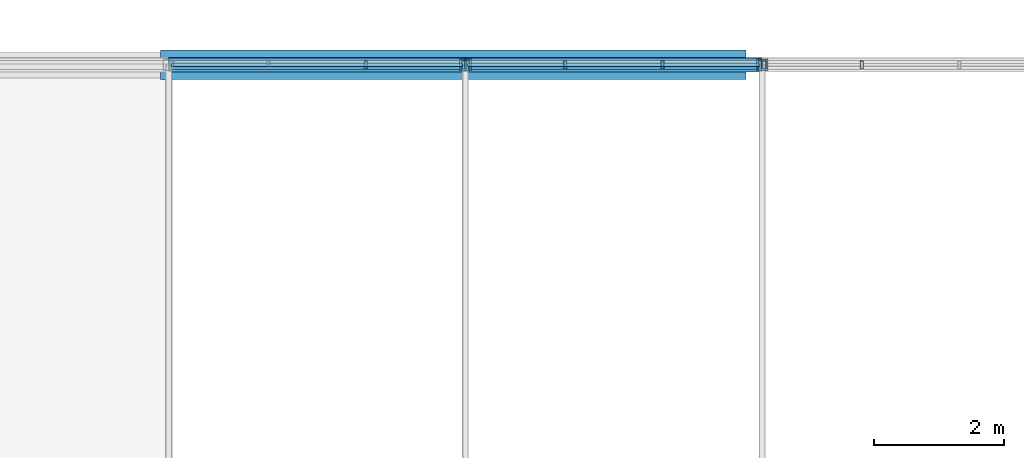
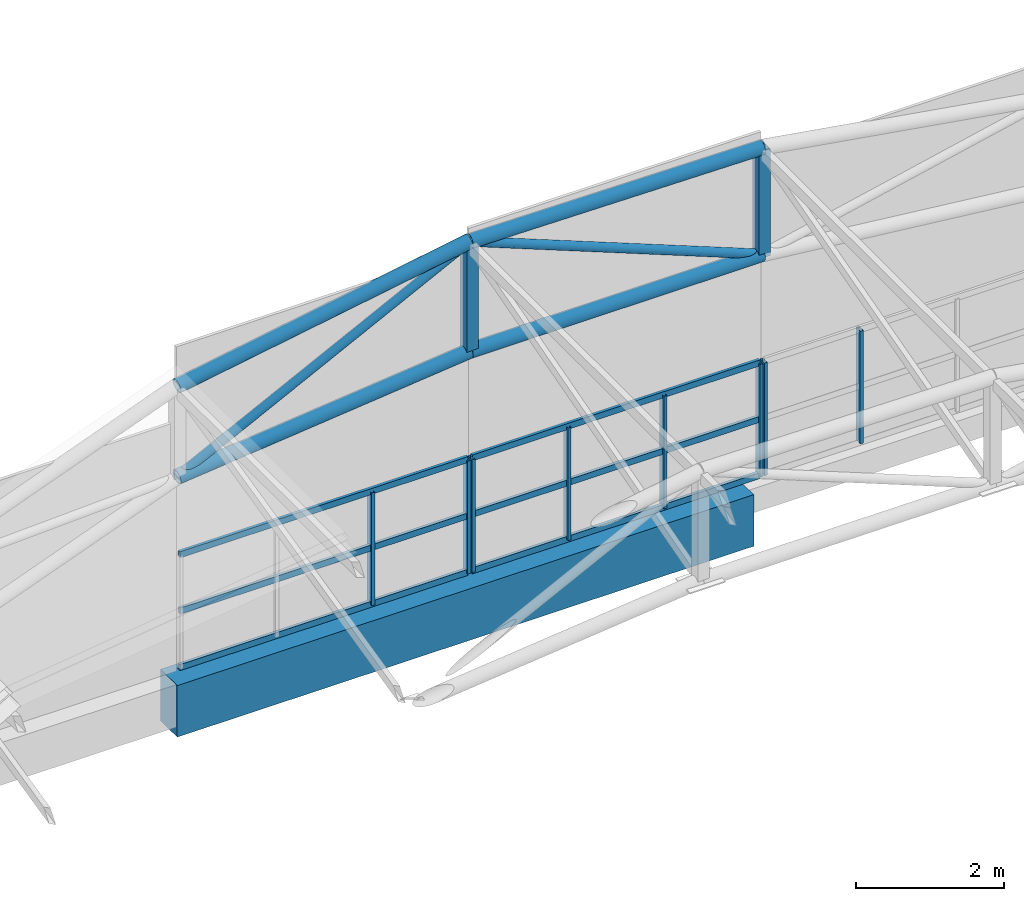
# One storey, part 72 of 101: 22 members, 1 beam, 3 elements without a shape of their own.
"""IFC4 building model written with IfcOpenShell, lengths in metres."""

import ifcopenshell
import ifcopenshell.guid

model = None  # the IFC model being written
_history = None  # IfcOwnerHistory: only IFC2X3 demands one
_inside = {}  # id of a spatial element -> (the spatial element, [elements in it])
_under = {}  # id of a project, library or spatial element -> (it, [spatial elements below it])
_declared = {}  # id of a project -> (the project, [libraries it declares])
_typed = {}  # id of a type object -> (the type object, [elements of that type])
_made_of = {}  # id of a material, layer set ... -> (it, [elements and type objects made of it])


def new_model(schema):
    """Start an empty IFC model of exactly this schema.

    Asked for "IFC4X3", IfcOpenShell would pick the latest addendum, in which some entities
    have other attributes; the version numbers below select the first issue.
    IFC2X3 requires an IfcOwnerHistory on every rooted entity: one is made here for all.
    """
    global model, _history
    if schema == "IFC4X3":
        model = ifcopenshell.file(schema_version=(4, 3, 0, 0))
    else:
        model = ifcopenshell.file(schema=schema)
    _inside.clear()
    _under.clear()
    _declared.clear()
    _typed.clear()
    _made_of.clear()
    _history = None
    if model.schema == "IFC2X3":
        org = make("IfcOrganization", Name="unknown")
        user = make(
            "IfcPersonAndOrganization",
            ThePerson=make("IfcPerson", FamilyName="unknown"),
            TheOrganization=org,
        )
        app = make(
            "IfcApplication",
            ApplicationDeveloper=org,
            Version="unknown",
            ApplicationFullName="unknown",
            ApplicationIdentifier="unknown",
        )
        _history = make(
            "IfcOwnerHistory",
            OwningUser=user,
            OwningApplication=app,
            ChangeAction="ADDED",
            CreationDate=0,
        )
    return model


def make(cls, **values):
    """One entity of the class cls with the attributes given. An attribute that is None is left unset."""
    return model.create_entity(
        cls, **{name: value for name, value in values.items() if value is not None}
    )


def rooted(cls, **values):
    """An entity with a GlobalId (a new one), such as an element, a storey or a relation."""
    return make(cls, GlobalId=ifcopenshell.guid.new(), OwnerHistory=_history, **values)


def si_unit(unit_type, name, prefix=None):
    """IfcSIUnit, for example si_unit("LENGTHUNIT", "METRE", prefix="MILLI")."""
    return make("IfcSIUnit", UnitType=unit_type, Prefix=prefix, Name=name)


def assignment(units):
    """IfcUnitAssignment: the units of a project."""
    return None if units is None else make("IfcUnitAssignment", Units=units)


def point(xyz):
    """IfcCartesianPoint."""
    return None if xyz is None else make("IfcCartesianPoint", Coordinates=xyz)


def direction(xyz):
    """IfcDirection."""
    return None if xyz is None else make("IfcDirection", DirectionRatios=xyz)


def frame(location, z_axis=None, x_axis=None):
    """IfcAxis2Placement3D, a coordinate frame: its origin and axes. An axis left out is left unset."""
    return make(
        "IfcAxis2Placement3D",
        Location=point(location),
        Axis=direction(z_axis),
        RefDirection=direction(x_axis),
    )


def frame_2d(location, x_axis=None):
    """IfcAxis2Placement2D, a coordinate frame in the plane: its origin and x axis."""
    return make(
        "IfcAxis2Placement2D", Location=point(location), RefDirection=direction(x_axis)
    )


def origin():
    """The frame at (0, 0, 0) with its axes left unset."""
    return frame((0.0, 0.0, 0.0))


def origin_2d():
    """The frame at (0, 0) in the plane with its x axis left unset."""
    return frame_2d((0.0, 0.0))


def place(relative_to, where):
    """IfcLocalPlacement: puts the frame where relative to a parent placement (None: the world)."""
    return make(
        "IfcLocalPlacement", PlacementRelTo=relative_to, RelativePlacement=where
    )


def context(
    kind, dimensions, precision=None, world=None, true_north=None, identifier=None
):
    """IfcGeometricRepresentationContext, for example the 3D "Model" context."""
    return make(
        "IfcGeometricRepresentationContext",
        ContextIdentifier=identifier,
        ContextType=kind,
        CoordinateSpaceDimension=dimensions,
        Precision=precision,
        WorldCoordinateSystem=world,
        TrueNorth=true_north,
    )


def subcontext(parent, identifier, kind, view, scale=None):
    """IfcGeometricRepresentationSubContext, for example "Body" below "Model"."""
    return make(
        "IfcGeometricRepresentationSubContext",
        ContextIdentifier=identifier,
        ContextType=kind,
        ParentContext=parent,
        TargetScale=scale,
        TargetView=view,
    )


def project(units=None, contexts=None):
    """IfcProject with its units and contexts."""
    return rooted(
        "IfcProject",
        Name="project",
        RepresentationContexts=contexts,
        UnitsInContext=assignment(units),
    )


def spatial(cls, under=None, at=None, **own):
    """A site, building, storey or space (cls), placed at a placement, below another one or the project."""
    s = rooted(cls, ObjectPlacement=at, **own)
    if under is not None:
        _under.setdefault(under.id(), (under, []))[1].append(s)
    return s


def profile(cls, at=None, kind="AREA", **sizes):
    """A parametric profile (cls). Its sizes go by their IFC names, for example OverallWidth=200.0."""
    return make(cls, ProfileType=kind, Position=at, **sizes)


def rectangle(**sizes):
    """IfcRectangleProfileDef."""
    return profile("IfcRectangleProfileDef", **sizes)


def hollow_rectangle(**sizes):
    """IfcRectangleHollowProfileDef."""
    return profile("IfcRectangleHollowProfileDef", **sizes)


def hollow_circle(**sizes):
    """IfcCircleHollowProfileDef."""
    return profile("IfcCircleHollowProfileDef", **sizes)


def extrude(swept, where, along, depth):
    """IfcExtrudedAreaSolid: the profile swept, set in the frame where, extruded along a direction by depth."""
    return make(
        "IfcExtrudedAreaSolid",
        SweptArea=swept,
        Position=where,
        ExtrudedDirection=direction(along),
        Depth=depth,
    )


def shape(context_of_items, identifier, shape_type, items):
    """IfcShapeRepresentation: the items that make up one representation, for example the "Body"."""
    return make(
        "IfcShapeRepresentation",
        ContextOfItems=context_of_items,
        RepresentationIdentifier=identifier,
        RepresentationType=shape_type,
        Items=items,
    )


def material(Name=None, Category=None):
    """IfcMaterial."""
    return make("IfcMaterial", Name=Name, Category=Category)


def material_profile(
    of_material, cross_section, Name=None, Category=None, Priority=None
):
    """IfcMaterialProfile: a cross section and its material."""
    return make(
        "IfcMaterialProfile",
        Name=Name,
        Material=of_material,
        Profile=cross_section,
        Priority=Priority,
        Category=Category,
    )


def profile_set(profiles, Name=None, composite=None):
    """IfcMaterialProfileSet."""
    return make(
        "IfcMaterialProfileSet",
        Name=Name,
        MaterialProfiles=profiles,
        CompositeProfile=composite,
    )


def made_of(thing, what):
    """Note that an element or type object is made of a material, layer set ...; save() writes the relation."""
    if what is not None:
        _made_of.setdefault(what.id(), (what, []))[1].append(thing)
    return thing


def type_object(cls, material=None, **own):
    """A type object (cls), such as IfcWallType, which elements share."""
    return made_of(rooted(cls, **own), material)


def element(
    cls,
    number,
    at=None,
    inside=None,
    cuts=None,
    type_object=None,
    material=None,
    context=None,
    identifier="Body",
    shape_type=None,
    held_by="IfcProductDefinitionShape",
    body=None,
    shapes=None,
    **own,
):
    """One element of the class cls, such as IfcWall. Its Tag is "e" and its number.

    at: its placement. inside: the storey or other place that contains it. cuts: it is an
    opening in that element (IfcRelVoidsElement). A single representation is given by context,
    identifier, shape_type and body (its items); several are given by shapes. held_by: the class
    of the entity that holds the representations. save() writes the other relations.
    """
    e = rooted(cls, Tag="e%d" % number, ObjectPlacement=at, **own)
    if body is not None:
        shapes = [shape(context, identifier, shape_type, body)]
    if shapes is not None:
        e.Representation = make(held_by, Representations=shapes)
    if inside is not None:
        _inside.setdefault(inside.id(), (inside, []))[1].append(e)
    if cuts is not None:
        rooted(
            "IfcRelVoidsElement", RelatingBuildingElement=cuts, RelatedOpeningElement=e
        )
    if type_object is not None:
        _typed.setdefault(type_object.id(), (type_object, []))[1].append(e)
    return made_of(e, material)


def aggregate(whole, parts):
    """IfcRelAggregates: a whole, such as a stair, and the parts it consists of."""
    return rooted("IfcRelAggregates", RelatingObject=whole, RelatedObjects=parts)


def save(model, path):
    """Write the relations noted so far, then the file.

    IfcRelAggregates (storeys below a building ...), IfcRelContainedInSpatialStructure (elements
    in a storey), IfcRelDefinesByType, IfcRelAssociatesMaterial and IfcRelDeclares: one each for
    every whole, place, type object, material and project.
    """
    for whole, parts in _under.values():
        aggregate(whole, parts)
    for where, things in _inside.values():
        rooted(
            "IfcRelContainedInSpatialStructure",
            RelatedElements=things,
            RelatingStructure=where,
        )
    for kind, things in _typed.values():
        rooted("IfcRelDefinesByType", RelatedObjects=things, RelatingType=kind)
    for what, things in _made_of.values():
        rooted("IfcRelAssociatesMaterial", RelatedObjects=things, RelatingMaterial=what)
    for by, libraries in _declared.values():
        rooted("IfcRelDeclares", RelatingContext=by, RelatedDefinitions=libraries)
    model.write(path)


model = new_model("IFC4")

# Units and contexts
model_context = context("Model", 3, precision=1e-05, world=origin(), true_north=direction((0.0, 1.0)))
body_context = subcontext(model_context, "Body", "Model", "MODEL_VIEW")
ifc_project = project(units=[si_unit("LENGTHUNIT", "METRE"), si_unit("AREAUNIT", "SQUARE_METRE"), si_unit("VOLUMEUNIT", "CUBIC_METRE"), si_unit("PLANEANGLEUNIT", "RADIAN"), si_unit("MASSUNIT", "GRAM", prefix="KILO")], contexts=[model_context])

# Site, building, storey
site_placement = place(None, origin())
site = spatial("IfcSite", under=ifc_project, at=site_placement, CompositionType="ELEMENT")
building_placement = place(site_placement, origin())
building = spatial("IfcBuilding", under=site, at=building_placement, Name="Solvikara Media Centre", CompositionType="ELEMENT")
storey_placement = place(building_placement, frame((0.0, 0.0, 10.199951171875)))
storey = spatial("IfcBuildingStorey", under=building, at=storey_placement, Name="L02", CompositionType="ELEMENT", Elevation=10.199951171875)

# Beam
ifc_material_1 = material(Name="Concrete fc' 35 MPa (C35/45)", Category="concrete")
ifc_material_profile_1 = material_profile(ifc_material_1, rectangle(XDim=0.449951171875, YDim=0.85009765625, at=origin_2d()), Name="RC 450x850")
ifc_profile_set_1 = profile_set([ifc_material_profile_1], Name="Concrete fc' 35 MPa (C35/45)")
beam_type = type_object("IfcBeamType", Name="BM-14", PredefinedType="SPANDREL", material=ifc_profile_set_1)
beam_placement = place(storey_placement, frame((136.5, 114.0, -0.52490234375), z_axis=(1.0, 0.0, 0.0), x_axis=(0.0, 1.0, 0.0)))
element("IfcBeam", 1, at=beam_placement, inside=storey, type_object=beam_type, Name="B-L02-X0906", PredefinedType="SPANDREL", context=body_context, shape_type="SweptSolid", body=[
    extrude(rectangle(XDim=0.449951171875, YDim=0.85009765625, at=origin_2d()), origin(), (0.0, 0.0, 1.0), 9.0),
])

# Members
ifc_material_2 = material(Name="Steel S355JR", Category="steel")
ifc_material_profile_2 = material_profile(ifc_material_2, hollow_circle(Radius=0.109619140625, WallThickness=0.008056640625, at=origin_2d()), Name="CHS 219.1x8")
ifc_profile_set_2 = profile_set([ifc_material_profile_2], Name="Steel S355JR")
member_type_1 = type_object("IfcMemberType", Name="MB-05", PredefinedType="CHORD", material=ifc_profile_set_2)
member_1_placement = place(storey_placement, frame((136.625, 114.0, 4.66796875), z_axis=(0.98541075968, 0.0, 0.170192933775), x_axis=(0.0, 1.0, 0.0)))
element("IfcMember", 2, at=member_1_placement, inside=storey, type_object=member_type_1, Name="BSB-TC-04-02", PredefinedType="CHORD", context=body_context, shape_type="SweptSolid", body=[
    extrude(hollow_circle(Radius=0.109619140625, WallThickness=0.008056640625, at=origin_2d()), origin(), (0.0, 0.0, 1.0), 4.630615234375),
])
member_2_placement = place(storey_placement, frame((136.625, 114.0, 3.16796875), z_axis=(0.994463096743, 0.0, 0.105086389303), x_axis=(0.0, 1.0, 0.0)))
element("IfcMember", 3, at=member_2_placement, inside=storey, type_object=member_type_1, Name="BSB-BC-04-02", PredefinedType="CHORD", context=body_context, shape_type="SweptSolid", body=[
    extrude(hollow_circle(Radius=0.109619140625, WallThickness=0.008056640625, at=origin_2d()), origin(), (0.0, 0.0, 1.0), 4.58837890625),
])
member_3_placement = place(storey_placement, frame((141.18798828125, 114.0, 5.4560546875), z_axis=(0.999949391899, 0.0, -0.010060499073), x_axis=(0.0, 1.0, 0.0)))
element("IfcMember", 4, at=member_3_placement, inside=storey, type_object=member_type_1, Name="BSB-TC-04-03", PredefinedType="CHORD", context=body_context, shape_type="SweptSolid", body=[
    extrude(hollow_circle(Radius=0.109619140625, WallThickness=0.008056640625, at=origin_2d()), origin(), (0.0, 0.0, 1.0), 4.562255859375),
])
member_4_placement = place(storey_placement, frame((141.18798828125, 114.0, 3.650146484375), z_axis=(1.0, 0.0, 0.0), x_axis=(0.0, 1.0, 0.0)))
element("IfcMember", 5, at=member_4_placement, inside=storey, type_object=member_type_1, Name="BSB-BC-04-03", PredefinedType="CHORD", context=body_context, shape_type="SweptSolid", body=[
    extrude(hollow_circle(Radius=0.109619140625, WallThickness=0.008056640625, at=origin_2d()), origin(), (0.0, 0.0, 1.0), 4.56201171875),
])
ifc_material_profile_3 = material_profile(ifc_material_2, hollow_circle(Radius=0.06982421875, WallThickness=0.00634765625, at=origin_2d()), Name="CHS 139.7x6.3")
ifc_profile_set_3 = profile_set([ifc_material_profile_3], Name="Steel S355JR")
member_type_2 = type_object("IfcMemberType", Name="MB-08", PredefinedType="BRACE", material=ifc_profile_set_3)
member_5_placement = place(storey_placement, frame((136.625, 114.0, 3.16796875), z_axis=(0.893910049242, 0.0, 0.448246387453), x_axis=(0.0, 1.0, 0.0)))
element("IfcMember", 6, at=member_5_placement, inside=storey, type_object=member_type_2, Name="BSB-DG-04-02", PredefinedType="BRACE", context=body_context, shape_type="SweptSolid", body=[
    extrude(hollow_circle(Radius=0.06982421875, WallThickness=0.00634765625, at=origin_2d()), origin(), (0.0, 0.0, 1.0), 5.1044921875),
])
member_6_placement = place(storey_placement, frame((141.18798828125, 114.0, 5.4560546875), z_axis=(0.929798808243, 0.0, -0.368068167857), x_axis=(0.0, 1.0, 0.0)))
element("IfcMember", 7, at=member_6_placement, inside=storey, type_object=member_type_2, Name="BSB-DG-04-03", PredefinedType="BRACE", context=body_context, shape_type="SweptSolid", body=[
    extrude(hollow_circle(Radius=0.06982421875, WallThickness=0.00634765625, at=origin_2d()), origin(), (0.0, 0.0, 1.0), 4.906494140625),
])
ifc_material_profile_4 = material_profile(ifc_material_2, hollow_rectangle(XDim=0.179931640625, YDim=0.179931640625, WallThickness=0.008056640625, at=origin_2d()), Name="RHS 180x180x8")
ifc_profile_set_4 = profile_set([ifc_material_profile_4], Name="Steel S355JR")
member_type_3 = type_object("IfcMemberType", Name="MB-14", PredefinedType="BRACE", material=ifc_profile_set_4)
member_7_placement = place(storey_placement, frame((141.18798828125, 114.0, 3.650146484375), z_axis=(0.0, 0.0, 1.0), x_axis=(1.0, 0.0, 0.0)))
element("IfcMember", 8, at=member_7_placement, inside=storey, type_object=member_type_3, Name="BSB-VT-04-03", PredefinedType="BRACE", context=body_context, shape_type="SweptSolid", body=[
    extrude(hollow_rectangle(XDim=0.179931640625, YDim=0.179931640625, WallThickness=0.008056640625, at=origin_2d()), origin(), (0.0, 0.0, 1.0), 1.805908203125),
])
member_8_placement = place(storey_placement, frame((145.75, 114.0, 3.650146484375), z_axis=(0.0, 0.0, 1.0), x_axis=(1.0, 0.0, 0.0)))
element("IfcMember", 9, at=member_8_placement, inside=storey, type_object=member_type_3, Name="BSB-VT-04-04", PredefinedType="BRACE", context=body_context, shape_type="SweptSolid", body=[
    extrude(hollow_rectangle(XDim=0.179931640625, YDim=0.179931640625, WallThickness=0.008056640625, at=origin_2d()), origin(), (0.0, 0.0, 1.0), 1.760009765625),
])

# Curtain wall, members
ifc_material_3 = material(Name="Anodised aluminium EN AW-6063", Category="aluminium")
curtain_wall_type = type_object("IfcCurtainWallType", Name="CW-12", PredefinedType="NOTDEFINED", material=ifc_material_3)
curtain_wall_1_placement = place(storey_placement, origin())
curtain_wall_1 = element("IfcCurtainWall", 10, at=curtain_wall_1_placement, inside=storey, type_object=curtain_wall_type, Name="CW-BSBN-CLR-02", PredefinedType="NOTDEFINED")
ifc_material_profile_5 = material_profile(ifc_material_3, hollow_rectangle(XDim=0.050048828125, YDim=0.1201171875, WallThickness=0.0029296875, at=origin_2d()), Name="ALU-M 50x120x3")
ifc_profile_set_5 = profile_set([ifc_material_profile_5], Name="Anodised aluminium EN AW-6063")
member_type_4 = type_object("IfcMemberType", Name="MF-06", PredefinedType="MULLION", material=ifc_profile_set_5)
member_9_placement = place(storey_placement, frame((139.655029296875, 114.0, 0.02001953125), z_axis=(0.0, 0.0, 1.0), x_axis=(1.0, 0.0, 0.0)))
member_9 = element("IfcMember", 11, at=member_9_placement, type_object=member_type_4, Name="CW-BSBN-CLR-02-M02", PredefinedType="MULLION", context=body_context, shape_type="SweptSolid", body=[
    extrude(hollow_rectangle(XDim=0.050048828125, YDim=0.1201171875, WallThickness=0.0029296875, at=origin_2d()), origin(), (0.0, 0.0, 1.0), 1.860107421875),
])
member_10_placement = place(storey_placement, frame((141.153076171875, 114.0, 0.02001953125), z_axis=(0.0, 0.0, 1.0), x_axis=(1.0, 0.0, 0.0)))
member_10 = element("IfcMember", 12, at=member_10_placement, type_object=member_type_4, Name="CW-BSBN-CLR-02-M03", PredefinedType="MULLION", context=body_context, shape_type="SweptSolid", body=[
    extrude(hollow_rectangle(XDim=0.050048828125, YDim=0.1201171875, WallThickness=0.0029296875, at=origin_2d()), origin(), (0.0, 0.0, 1.0), 1.860107421875),
])

curtain_wall_2_placement = place(storey_placement, origin())
curtain_wall_2 = element("IfcCurtainWall", 13, at=curtain_wall_2_placement, inside=storey, type_object=curtain_wall_type, Name="CW-BSBN-CLR-03", PredefinedType="NOTDEFINED")
member_11_placement = place(storey_placement, frame((141.222900390625, 114.0, 0.02001953125), z_axis=(0.0, 0.0, 1.0), x_axis=(1.0, 0.0, 0.0)))
member_11 = element("IfcMember", 14, at=member_11_placement, type_object=member_type_4, Name="CW-BSBN-CLR-03-M00", PredefinedType="MULLION", context=body_context, shape_type="SweptSolid", body=[
    extrude(hollow_rectangle(XDim=0.050048828125, YDim=0.1201171875, WallThickness=0.0029296875, at=origin_2d()), origin(), (0.0, 0.0, 1.0), 1.860107421875),
])
member_12_placement = place(storey_placement, frame((142.719970703125, 114.0, 0.02001953125), z_axis=(0.0, 0.0, 1.0), x_axis=(1.0, 0.0, 0.0)))
member_12 = element("IfcMember", 15, at=member_12_placement, type_object=member_type_4, Name="CW-BSBN-CLR-03-M01", PredefinedType="MULLION", context=body_context, shape_type="SweptSolid", body=[
    extrude(hollow_rectangle(XDim=0.050048828125, YDim=0.1201171875, WallThickness=0.0029296875, at=origin_2d()), origin(), (0.0, 0.0, 1.0), 1.860107421875),
])
member_13_placement = place(storey_placement, frame((144.218017578125, 114.0, 0.02001953125), z_axis=(0.0, 0.0, 1.0), x_axis=(1.0, 0.0, 0.0)))
member_13 = element("IfcMember", 16, at=member_13_placement, type_object=member_type_4, Name="CW-BSBN-CLR-03-M02", PredefinedType="MULLION", context=body_context, shape_type="SweptSolid", body=[
    extrude(hollow_rectangle(XDim=0.050048828125, YDim=0.1201171875, WallThickness=0.0029296875, at=origin_2d()), origin(), (0.0, 0.0, 1.0), 1.860107421875),
])
member_14_placement = place(storey_placement, frame((145.715087890625, 114.0, 0.02001953125), z_axis=(0.0, 0.0, 1.0), x_axis=(1.0, 0.0, 0.0)))
member_14 = element("IfcMember", 17, at=member_14_placement, type_object=member_type_4, Name="CW-BSBN-CLR-03-M03", PredefinedType="MULLION", context=body_context, shape_type="SweptSolid", body=[
    extrude(hollow_rectangle(XDim=0.050048828125, YDim=0.1201171875, WallThickness=0.0029296875, at=origin_2d()), origin(), (0.0, 0.0, 1.0), 1.860107421875),
])

curtain_wall_3_placement = place(storey_placement, origin())
curtain_wall_3 = element("IfcCurtainWall", 18, at=curtain_wall_3_placement, inside=storey, type_object=curtain_wall_type, Name="CW-BSBN-CLR-04", PredefinedType="NOTDEFINED")
member_15_placement = place(storey_placement, frame((145.784912109375, 114.0, 0.02001953125), z_axis=(0.0, 0.0, 1.0), x_axis=(1.0, 0.0, 0.0)))
member_15 = element("IfcMember", 19, at=member_15_placement, type_object=member_type_4, Name="CW-BSBN-CLR-04-M00", PredefinedType="MULLION", context=body_context, shape_type="SweptSolid", body=[
    extrude(hollow_rectangle(XDim=0.050048828125, YDim=0.1201171875, WallThickness=0.0029296875, at=origin_2d()), origin(), (0.0, 0.0, 1.0), 1.860107421875),
])
member_16_placement = place(storey_placement, frame((147.281982421875, 114.0, 0.02001953125), z_axis=(0.0, 0.0, 1.0), x_axis=(1.0, 0.0, 0.0)))
member_16 = element("IfcMember", 20, at=member_16_placement, type_object=member_type_4, Name="CW-BSBN-CLR-04-M01", PredefinedType="MULLION", context=body_context, shape_type="SweptSolid", body=[
    extrude(hollow_rectangle(XDim=0.050048828125, YDim=0.1201171875, WallThickness=0.0029296875, at=origin_2d()), origin(), (0.0, 0.0, 1.0), 1.860107421875),
])
aggregate(curtain_wall_3, [member_15, member_16])

# Member
ifc_material_profile_6 = material_profile(ifc_material_3, hollow_rectangle(XDim=0.050048828125, YDim=0.10009765625, WallThickness=0.0029296875, at=origin_2d()), Name="ALU-T 50x100x3")
ifc_profile_set_6 = profile_set([ifc_material_profile_6], Name="Anodised aluminium EN AW-6063")
member_type_5 = type_object("IfcMemberType", Name="MF-12", PredefinedType="USERDEFINED", material=ifc_profile_set_6)
member_17_placement = place(storey_placement, frame((136.659912109375, 114.0, 0.02001953125), z_axis=(1.0, 0.0, 0.0), x_axis=(0.0, 1.0, 0.0)))
member_17 = element("IfcMember", 21, at=member_17_placement, type_object=member_type_5, Name="CW-BSBN-CLR-02-T00", ObjectType="TRANSOM", PredefinedType="USERDEFINED", context=body_context, shape_type="SweptSolid", body=[
    extrude(hollow_rectangle(XDim=0.050048828125, YDim=0.10009765625, WallThickness=0.0029296875, at=origin_2d()), origin(), (0.0, 0.0, 1.0), 4.4931640625),
])

member_18_placement = place(storey_placement, frame((136.659912109375, 114.0, 0.949951171875), z_axis=(1.0, 0.0, 0.0), x_axis=(0.0, 1.0, 0.0)))
member_18 = element("IfcMember", 22, at=member_18_placement, type_object=member_type_5, Name="CW-BSBN-CLR-02-T01", ObjectType="TRANSOM", PredefinedType="USERDEFINED", context=body_context, shape_type="SweptSolid", body=[
    extrude(hollow_rectangle(XDim=0.050048828125, YDim=0.10009765625, WallThickness=0.0029296875, at=origin_2d()), origin(), (0.0, 0.0, 1.0), 4.4931640625),
])

member_19_placement = place(storey_placement, frame((136.659912109375, 114.0, 1.880126953125), z_axis=(1.0, 0.0, 0.0), x_axis=(0.0, 1.0, 0.0)))
member_19 = element("IfcMember", 23, at=member_19_placement, type_object=member_type_5, Name="CW-BSBN-CLR-02-T02", ObjectType="TRANSOM", PredefinedType="USERDEFINED", context=body_context, shape_type="SweptSolid", body=[
    extrude(hollow_rectangle(XDim=0.050048828125, YDim=0.10009765625, WallThickness=0.0029296875, at=origin_2d()), origin(), (0.0, 0.0, 1.0), 4.4931640625),
])

aggregate(curtain_wall_1, [member_9, member_10, member_17, member_18, member_19])

member_20_placement = place(storey_placement, frame((141.222900390625, 114.0, 0.02001953125), z_axis=(1.0, 0.0, 0.0), x_axis=(0.0, 1.0, 0.0)))
member_20 = element("IfcMember", 24, at=member_20_placement, type_object=member_type_5, Name="CW-BSBN-CLR-03-T00", ObjectType="TRANSOM", PredefinedType="USERDEFINED", context=body_context, shape_type="SweptSolid", body=[
    extrude(hollow_rectangle(XDim=0.050048828125, YDim=0.10009765625, WallThickness=0.0029296875, at=origin_2d()), origin(), (0.0, 0.0, 1.0), 4.4921875),
])

member_21_placement = place(storey_placement, frame((141.222900390625, 114.0, 0.949951171875), z_axis=(1.0, 0.0, 0.0), x_axis=(0.0, 1.0, 0.0)))
member_21 = element("IfcMember", 25, at=member_21_placement, type_object=member_type_5, Name="CW-BSBN-CLR-03-T01", ObjectType="TRANSOM", PredefinedType="USERDEFINED", context=body_context, shape_type="SweptSolid", body=[
    extrude(hollow_rectangle(XDim=0.050048828125, YDim=0.10009765625, WallThickness=0.0029296875, at=origin_2d()), origin(), (0.0, 0.0, 1.0), 4.4921875),
])

member_22_placement = place(storey_placement, frame((141.222900390625, 114.0, 1.880126953125), z_axis=(1.0, 0.0, 0.0), x_axis=(0.0, 1.0, 0.0)))
member_22 = element("IfcMember", 26, at=member_22_placement, type_object=member_type_5, Name="CW-BSBN-CLR-03-T02", ObjectType="TRANSOM", PredefinedType="USERDEFINED", context=body_context, shape_type="SweptSolid", body=[
    extrude(hollow_rectangle(XDim=0.050048828125, YDim=0.10009765625, WallThickness=0.0029296875, at=origin_2d()), origin(), (0.0, 0.0, 1.0), 4.4921875),
])

aggregate(curtain_wall_2, [member_11, member_12, member_13, member_14, member_20, member_21, member_22])

save(model, "model.ifc")
